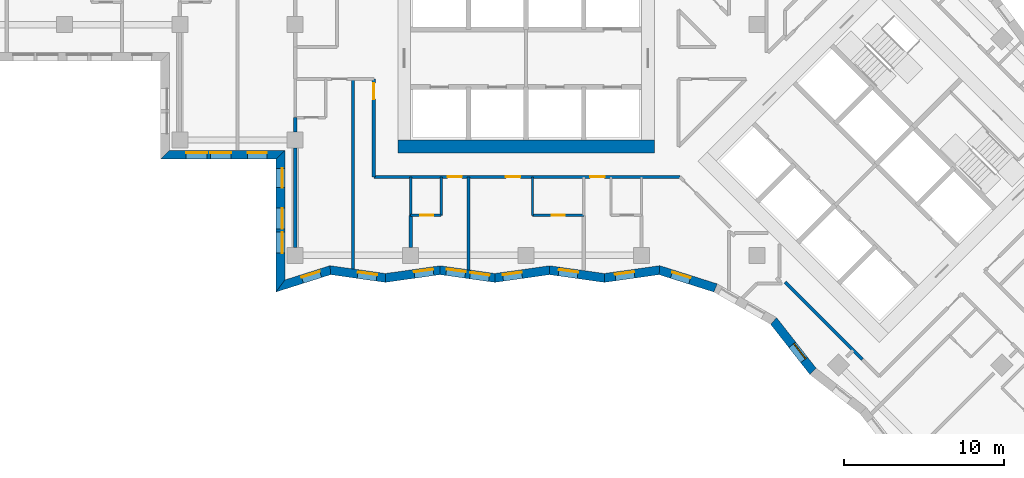
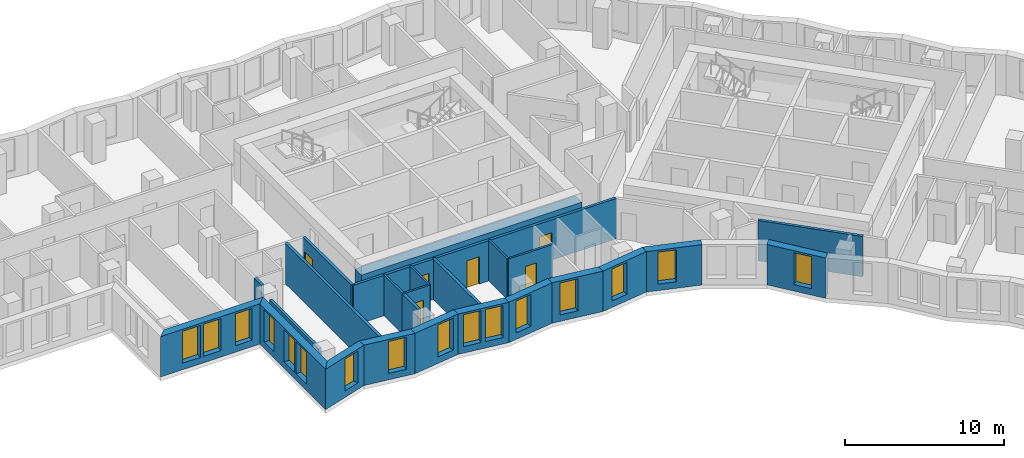
# One storey, part 2 of 13: 25 walls, 16 windows, 6 doors, 22 openings.
"""IFC4 building model written with IfcOpenShell, lengths in metres."""

from ifc_helpers import new_model, si_unit, direction, frame, frame_2d, origin, place, context, subcontext, project, spatial, polyline, rectangle, outline, extrude, material, layer, layer_set, type_object, element, fill, save


model = new_model("IFC4")

# Units and contexts
model_context = context("Model", 3, precision=1e-05, world=origin(), true_north=direction((0.0, 1.0)))
body_context = subcontext(model_context, "Body", "Model", "MODEL_VIEW")
ifc_project = project(units=[si_unit("LENGTHUNIT", "METRE"), si_unit("AREAUNIT", "SQUARE_METRE"), si_unit("VOLUMEUNIT", "CUBIC_METRE"), si_unit("PLANEANGLEUNIT", "RADIAN"), si_unit("MASSUNIT", "GRAM", prefix="KILO")], contexts=[model_context])

# Site, building, storey
site_placement = place(None, origin())
site = spatial("IfcSite", under=ifc_project, at=site_placement, CompositionType="ELEMENT")
building_placement = place(site_placement, origin())
building = spatial("IfcBuilding", under=site, at=building_placement, Name="Windrow Commons", CompositionType="ELEMENT")
storey_placement = place(building_placement, frame((0.0, 0.0, 101.6)))
storey = spatial("IfcBuildingStorey", under=building, at=storey_placement, Name="L27", CompositionType="ELEMENT", Elevation=101.6)

# Wall, openings, windows
ifc_material_1 = material(Name="Brick masonry, red clay brick", Category="masonry")
ifc_layer_1 = layer(ifc_material_1, 0.55)
ifc_layer_set_1 = layer_set([ifc_layer_1], Name="Brick facade wall 550")
wall_type_1 = type_object("IfcWallType", Name="Brick facade wall 550", PredefinedType="SOLIDWALL", material=ifc_layer_set_1)
wall_1_placement = place(storey_placement, frame((42.275, 49.475, 0.0), z_axis=(0.0, 0.0, 1.0), x_axis=(1.0, 0.0, 0.0)))
wall_1 = element("IfcWall", 1, at=wall_1_placement, inside=storey, type_object=wall_type_1, Name="Brick facade wall L27 42", PredefinedType="SOLIDWALL", context=body_context, shape_type="SweptSolid", body=[
    extrude(outline(polyline([(-0.275, -0.275), (6.925, -0.275), (7.475, 0.275), (0.275, 0.275), (-0.275, -0.275)])), origin(), (0.0, 0.0, 1.0), 3.1),
])
opening_1_placement = place(wall_1_placement, frame((1.325, 0.0, 0.5)))
opening_1 = element("IfcOpeningElement", 2, at=opening_1_placement, cuts=wall_1, Name="Opening W1P", PredefinedType="OPENING", context=body_context, shape_type="SweptSolid", body=[
    extrude(rectangle(XDim=1.3, YDim=2.45, at=frame_2d((0.65, 1.225))), frame((0.0, 0.285, 0.0), z_axis=(0.0, -1.0, 0.0), x_axis=(1.0, 0.0, 0.0)), (0.0, 0.0, 1.0), 0.57),
])
opening_2_placement = place(wall_1_placement, frame((2.825, 0.0, 0.5)))
opening_2 = element("IfcOpeningElement", 3, at=opening_2_placement, cuts=wall_1, Name="Opening W1P", PredefinedType="OPENING", context=body_context, shape_type="SweptSolid", body=[
    extrude(rectangle(XDim=1.3, YDim=2.45, at=frame_2d((0.65, 1.225))), frame((0.0, 0.285, 0.0), z_axis=(0.0, -1.0, 0.0), x_axis=(1.0, 0.0, 0.0)), (0.0, 0.0, 1.0), 0.57),
])
opening_3_placement = place(wall_1_placement, frame((5.1625, 0.0, 0.5)))
opening_3 = element("IfcOpeningElement", 4, at=opening_3_placement, cuts=wall_1, Name="Opening W7D", PredefinedType="OPENING", context=body_context, shape_type="SweptSolid", body=[
    extrude(rectangle(XDim=1.2, YDim=2.45, at=frame_2d((0.6, 1.225))), frame((0.0, 0.285, 0.0), z_axis=(0.0, -1.0, 0.0), x_axis=(1.0, 0.0, 0.0)), (0.0, 0.0, 1.0), 0.57),
])
ifc_material_2 = material(Name="Clear float glass in anodised aluminium frame", Category="aluminium")
window_type_1 = type_object("IfcWindowType", Name="Window W1P pair 1300x2450", PartitioningType="SINGLE_PANEL", PredefinedType="WINDOW", material=ifc_material_2)
window_1_placement = place(opening_1_placement, origin())
window_1 = element("IfcWindow", 5, at=window_1_placement, inside=storey, type_object=window_type_1, Name="Window L27 42.1A", OverallHeight=2.45, OverallWidth=1.3, PartitioningType="SINGLE_PANEL", PredefinedType="WINDOW", context=body_context, shape_type="SweptSolid", body=[
    extrude(rectangle(XDim=1.3, YDim=2.45, at=frame_2d((0.65, 1.225))), frame((0.0, 0.155, 0.0), z_axis=(0.0, -1.0, 0.0), x_axis=(1.0, 0.0, 0.0)), (0.0, 0.0, 1.0), 0.06),
])
fill(opening_1, window_1)
window_2_placement = place(opening_2_placement, origin())
window_2 = element("IfcWindow", 6, at=window_2_placement, inside=storey, type_object=window_type_1, Name="Window L27 42.1B", OverallHeight=2.45, OverallWidth=1.3, PartitioningType="SINGLE_PANEL", PredefinedType="WINDOW", context=body_context, shape_type="SweptSolid", body=[
    extrude(rectangle(XDim=1.3, YDim=2.45, at=frame_2d((0.65, 1.225))), frame((0.0, 0.155, 0.0), z_axis=(0.0, -1.0, 0.0), x_axis=(1.0, 0.0, 0.0)), (0.0, 0.0, 1.0), 0.06),
])
fill(opening_2, window_2)
ifc_material_3 = material(Name="Clear float glass in anodised aluminium frame", Category="aluminium")
window_type_2 = type_object("IfcWindowType", Name="Window W7 notch 1200x2450", PartitioningType="SINGLE_PANEL", PredefinedType="WINDOW", material=ifc_material_3)
window_3_placement = place(opening_3_placement, origin())
window_3 = element("IfcWindow", 7, at=window_3_placement, inside=storey, type_object=window_type_2, Name="Window L27 42.2", OverallHeight=2.45, OverallWidth=1.2, PartitioningType="SINGLE_PANEL", PredefinedType="WINDOW", context=body_context, shape_type="SweptSolid", body=[
    extrude(rectangle(XDim=1.2, YDim=2.45, at=frame_2d((0.6, 1.225))), frame((0.0, 0.155, 0.0), z_axis=(0.0, -1.0, 0.0), x_axis=(1.0, 0.0, 0.0)), (0.0, 0.0, 1.0), 0.06),
])
fill(opening_3, window_3)

wall_2_placement = place(storey_placement, frame((49.475, 49.475, 0.0), z_axis=(0.0, 0.0, 1.0), x_axis=(0.0, -1.0, 0.0)))
wall_2 = element("IfcWall", 8, at=wall_2_placement, inside=storey, type_object=wall_type_1, Name="Brick facade wall L27 43", PredefinedType="SOLIDWALL", context=body_context, shape_type="SweptSolid", body=[
    extrude(outline(polyline([(0.275, -0.275), (8.557, -0.275), (7.8057, 0.275), (-0.275, 0.275), (0.275, -0.275)])), origin(), (0.0, 0.0, 1.0), 3.1),
])
opening_4_placement = place(wall_2_placement, frame((3.325, 0.0, 0.5)))
opening_4 = element("IfcOpeningElement", 9, at=opening_4_placement, cuts=wall_2, Name="Opening W1P", PredefinedType="OPENING", context=body_context, shape_type="SweptSolid", body=[
    extrude(rectangle(XDim=1.3, YDim=2.45, at=frame_2d((0.65, 1.225))), frame((0.0, 0.285, 0.0), z_axis=(0.0, -1.0, 0.0), x_axis=(1.0, 0.0, 0.0)), (0.0, 0.0, 1.0), 0.57),
])
opening_5_placement = place(wall_2_placement, frame((4.825, 0.0, 0.5)))
opening_5 = element("IfcOpeningElement", 10, at=opening_5_placement, cuts=wall_2, Name="Opening W1P", PredefinedType="OPENING", context=body_context, shape_type="SweptSolid", body=[
    extrude(rectangle(XDim=1.3, YDim=2.45, at=frame_2d((0.65, 1.225))), frame((0.0, 0.285, 0.0), z_axis=(0.0, -1.0, 0.0), x_axis=(1.0, 0.0, 0.0)), (0.0, 0.0, 1.0), 0.57),
])
opening_6_placement = place(wall_2_placement, frame((0.8375, 0.0, 0.5)))
opening_6 = element("IfcOpeningElement", 11, at=opening_6_placement, cuts=wall_2, Name="Opening W7D", PredefinedType="OPENING", context=body_context, shape_type="SweptSolid", body=[
    extrude(rectangle(XDim=1.2, YDim=2.45, at=frame_2d((0.6, 1.225))), frame((0.0, 0.285, 0.0), z_axis=(0.0, -1.0, 0.0), x_axis=(1.0, 0.0, 0.0)), (0.0, 0.0, 1.0), 0.57),
])
window_4_placement = place(opening_4_placement, origin())
window_4 = element("IfcWindow", 12, at=window_4_placement, inside=storey, type_object=window_type_1, Name="Window L27 43.1A", OverallHeight=2.45, OverallWidth=1.3, PartitioningType="SINGLE_PANEL", PredefinedType="WINDOW", context=body_context, shape_type="SweptSolid", body=[
    extrude(rectangle(XDim=1.3, YDim=2.45, at=frame_2d((0.65, 1.225))), frame((0.0, 0.155, 0.0), z_axis=(0.0, -1.0, 0.0), x_axis=(1.0, 0.0, 0.0)), (0.0, 0.0, 1.0), 0.06),
])
fill(opening_4, window_4)
window_5_placement = place(opening_5_placement, origin())
window_5 = element("IfcWindow", 13, at=window_5_placement, inside=storey, type_object=window_type_1, Name="Window L27 43.1B", OverallHeight=2.45, OverallWidth=1.3, PartitioningType="SINGLE_PANEL", PredefinedType="WINDOW", context=body_context, shape_type="SweptSolid", body=[
    extrude(rectangle(XDim=1.3, YDim=2.45, at=frame_2d((0.65, 1.225))), frame((0.0, 0.155, 0.0), z_axis=(0.0, -1.0, 0.0), x_axis=(1.0, 0.0, 0.0)), (0.0, 0.0, 1.0), 0.06),
])
fill(opening_5, window_5)
window_6_placement = place(opening_6_placement, origin())
window_6 = element("IfcWindow", 14, at=window_6_placement, inside=storey, type_object=window_type_2, Name="Window L27 43.2", OverallHeight=2.45, OverallWidth=1.2, PartitioningType="SINGLE_PANEL", PredefinedType="WINDOW", context=body_context, shape_type="SweptSolid", body=[
    extrude(rectangle(XDim=1.2, YDim=2.45, at=frame_2d((0.6, 1.225))), frame((0.0, 0.155, 0.0), z_axis=(0.0, -1.0, 0.0), x_axis=(1.0, 0.0, 0.0)), (0.0, 0.0, 1.0), 0.06),
])
fill(opening_6, window_6)

# Wall, opening, window
wall_3_placement = place(storey_placement, frame((49.475, 41.2937, 0.0), z_axis=(0.0, 0.0, 1.0), x_axis=(0.9532643936, 0.3021373791, 0.0)))
wall_3 = element("IfcWall", 15, at=wall_3_placement, inside=storey, type_object=wall_type_1, Name="Brick facade wall L27 44", PredefinedType="SOLIDWALL", context=body_context, shape_type="SweptSolid", body=[
    extrude(outline(polyline([(-0.3757, -0.275), (3.2052, -0.275), (3.3303, 0.275), (0.3757, 0.275), (-0.3757, -0.275)])), origin(), (0.0, 0.0, 1.0), 3.1),
])
opening_7_placement = place(wall_3_placement, frame((1.419, 0.0, 0.5)))
opening_7 = element("IfcOpeningElement", 16, at=opening_7_placement, cuts=wall_3, Name="Opening W7D", PredefinedType="OPENING", context=body_context, shape_type="SweptSolid", body=[
    extrude(rectangle(XDim=1.2, YDim=2.45, at=frame_2d((0.6, 1.225))), frame((0.0, 0.285, 0.0), z_axis=(0.0, -1.0, 0.0), x_axis=(1.0, 0.0, 0.0)), (0.0, 0.0, 1.0), 0.57),
])
window_7_placement = place(opening_7_placement, origin())
window_7 = element("IfcWindow", 17, at=window_7_placement, inside=storey, type_object=window_type_2, Name="Window L27 44.1", OverallHeight=2.45, OverallWidth=1.2, PartitioningType="SINGLE_PANEL", PredefinedType="WINDOW", context=body_context, shape_type="SweptSolid", body=[
    extrude(rectangle(XDim=1.2, YDim=2.45, at=frame_2d((0.6, 1.225))), frame((0.0, 0.155, 0.0), z_axis=(0.0, -1.0, 0.0), x_axis=(1.0, 0.0, 0.0)), (0.0, 0.0, 1.0), 0.06),
])
fill(opening_7, window_7)

wall_4_placement = place(storey_placement, frame((52.59, 42.281, 0.0), z_axis=(0.0, 0.0, 1.0), x_axis=(0.9901775212, -0.1398158663, 0.0)))
wall_4 = element("IfcWall", 18, at=wall_4_placement, inside=storey, type_object=wall_type_1, Name="Brick facade wall L27 45", PredefinedType="SOLIDWALL", context=body_context, shape_type="SweptSolid", body=[
    extrude(outline(polyline([(0.0625, -0.275), (3.5099, -0.275), (3.4322, 0.275), (-0.0625, 0.275), (0.0625, -0.275)])), origin(), (0.0, 0.0, 1.0), 3.1),
])
opening_8_placement = place(wall_4_placement, frame((1.7281, 0.0, 0.5)))
opening_8 = element("IfcOpeningElement", 19, at=opening_8_placement, cuts=wall_4, Name="Opening W7D", PredefinedType="OPENING", context=body_context, shape_type="SweptSolid", body=[
    extrude(rectangle(XDim=1.2, YDim=2.45, at=frame_2d((0.6, 1.225))), frame((0.0, 0.285, 0.0), z_axis=(0.0, -1.0, 0.0), x_axis=(1.0, 0.0, 0.0)), (0.0, 0.0, 1.0), 0.57),
])
window_8_placement = place(opening_8_placement, origin())
window_8 = element("IfcWindow", 20, at=window_8_placement, inside=storey, type_object=window_type_2, Name="Window L27 45.1", OverallHeight=2.45, OverallWidth=1.2, PartitioningType="SINGLE_PANEL", PredefinedType="WINDOW", context=body_context, shape_type="SweptSolid", body=[
    extrude(rectangle(XDim=1.2, YDim=2.45, at=frame_2d((0.6, 1.225))), frame((0.0, 0.155, 0.0), z_axis=(0.0, -1.0, 0.0), x_axis=(1.0, 0.0, 0.0)), (0.0, 0.0, 1.0), 0.06),
])
fill(opening_8, window_8)

wall_5_placement = place(storey_placement, frame((56.0269, 41.7957, 0.0), z_axis=(0.0, 0.0, 1.0), x_axis=(0.9901773547, 0.1398170455, 0.0)))
wall_5 = element("IfcWall", 21, at=wall_5_placement, inside=storey, type_object=wall_type_1, Name="Brick facade wall L27 46", PredefinedType="SOLIDWALL", context=body_context, shape_type="SweptSolid", body=[
    extrude(outline(polyline([(-0.0388, -0.275), (3.4085, -0.275), (3.4862, 0.275), (0.0388, 0.275), (-0.0388, -0.275)])), origin(), (0.0, 0.0, 1.0), 3.1),
])
opening_9_placement = place(wall_5_placement, frame((1.818, 0.0, 0.5)))
opening_9 = element("IfcOpeningElement", 22, at=opening_9_placement, cuts=wall_5, Name="Opening W7D", PredefinedType="OPENING", context=body_context, shape_type="SweptSolid", body=[
    extrude(rectangle(XDim=1.2, YDim=2.45, at=frame_2d((0.6, 1.225))), frame((0.0, 0.285, 0.0), z_axis=(0.0, -1.0, 0.0), x_axis=(1.0, 0.0, 0.0)), (0.0, 0.0, 1.0), 0.57),
])
window_9_placement = place(opening_9_placement, origin())
window_9 = element("IfcWindow", 23, at=window_9_placement, inside=storey, type_object=window_type_2, Name="Window L27 46.1", OverallHeight=2.45, OverallWidth=1.2, PartitioningType="SINGLE_PANEL", PredefinedType="WINDOW", context=body_context, shape_type="SweptSolid", body=[
    extrude(rectangle(XDim=1.2, YDim=2.45, at=frame_2d((0.6, 1.225))), frame((0.0, 0.155, 0.0), z_axis=(0.0, -1.0, 0.0), x_axis=(1.0, 0.0, 0.0)), (0.0, 0.0, 1.0), 0.06),
])
fill(opening_9, window_9)

# Wall, openings, windows
wall_6_placement = place(storey_placement, frame((59.4404, 42.2777, 0.0), z_axis=(0.0, 0.0, 1.0), x_axis=(0.9901773547, -0.1398170455, 0.0)))
wall_6 = element("IfcWall", 24, at=wall_6_placement, inside=storey, type_object=wall_type_1, Name="Brick facade wall L27 47", PredefinedType="SOLIDWALL", context=body_context, shape_type="SweptSolid", body=[
    extrude(outline(polyline([(0.0388, -0.275), (3.4862, -0.275), (3.4085, 0.275), (-0.0388, 0.275), (0.0388, -0.275)])), origin(), (0.0, 0.0, 1.0), 3.1),
])
opening_10_placement = place(wall_6_placement, frame((0.3885, 0.0, 0.5)))
opening_10 = element("IfcOpeningElement", 25, at=opening_10_placement, cuts=wall_6, Name="Opening W7D", PredefinedType="OPENING", context=body_context, shape_type="SweptSolid", body=[
    extrude(rectangle(XDim=1.2, YDim=2.45, at=frame_2d((0.6, 1.225))), frame((0.0, 0.285, 0.0), z_axis=(0.0, -1.0, 0.0), x_axis=(1.0, 0.0, 0.0)), (0.0, 0.0, 1.0), 0.57),
])
opening_11_placement = place(wall_6_placement, frame((1.8928, 0.0, 0.5)))
opening_11 = element("IfcOpeningElement", 26, at=opening_11_placement, cuts=wall_6, Name="Opening W7D", PredefinedType="OPENING", context=body_context, shape_type="SweptSolid", body=[
    extrude(rectangle(XDim=1.2, YDim=2.45, at=frame_2d((0.6, 1.225))), frame((0.0, 0.285, 0.0), z_axis=(0.0, -1.0, 0.0), x_axis=(1.0, 0.0, 0.0)), (0.0, 0.0, 1.0), 0.57),
])
window_10_placement = place(opening_10_placement, origin())
window_10 = element("IfcWindow", 27, at=window_10_placement, inside=storey, type_object=window_type_2, Name="Window L27 47.1", OverallHeight=2.45, OverallWidth=1.2, PartitioningType="SINGLE_PANEL", PredefinedType="WINDOW", context=body_context, shape_type="SweptSolid", body=[
    extrude(rectangle(XDim=1.2, YDim=2.45, at=frame_2d((0.6, 1.225))), frame((0.0, 0.155, 0.0), z_axis=(0.0, -1.0, 0.0), x_axis=(1.0, 0.0, 0.0)), (0.0, 0.0, 1.0), 0.06),
])
fill(opening_10, window_10)
window_11_placement = place(opening_11_placement, origin())
window_11 = element("IfcWindow", 28, at=window_11_placement, inside=storey, type_object=window_type_2, Name="Window L27 47.2", OverallHeight=2.45, OverallWidth=1.2, PartitioningType="SINGLE_PANEL", PredefinedType="WINDOW", context=body_context, shape_type="SweptSolid", body=[
    extrude(rectangle(XDim=1.2, YDim=2.45, at=frame_2d((0.6, 1.225))), frame((0.0, 0.155, 0.0), z_axis=(0.0, -1.0, 0.0), x_axis=(1.0, 0.0, 0.0)), (0.0, 0.0, 1.0), 0.06),
])
fill(opening_11, window_11)

# Wall, opening, window
wall_7_placement = place(storey_placement, frame((62.8539, 41.7957, 0.0), z_axis=(0.0, 0.0, 1.0), x_axis=(0.9901767876, 0.1398210616, 0.0)))
wall_7 = element("IfcWall", 29, at=wall_7_placement, inside=storey, type_object=wall_type_1, Name="Brick facade wall L27 48", PredefinedType="SOLIDWALL", context=body_context, shape_type="SweptSolid", body=[
    extrude(outline(polyline([(-0.0388, -0.275), (3.4085, -0.275), (3.4862, 0.275), (0.0388, 0.275), (-0.0388, -0.275)])), origin(), (0.0, 0.0, 1.0), 3.1),
])
opening_12_placement = place(wall_7_placement, frame((0.5021, 0.0, 0.5)))
opening_12 = element("IfcOpeningElement", 30, at=opening_12_placement, cuts=wall_7, Name="Opening W7D", PredefinedType="OPENING", context=body_context, shape_type="SweptSolid", body=[
    extrude(rectangle(XDim=1.2, YDim=2.45, at=frame_2d((0.6, 1.225))), frame((0.0, 0.285, 0.0), z_axis=(0.0, -1.0, 0.0), x_axis=(1.0, 0.0, 0.0)), (0.0, 0.0, 1.0), 0.57),
])
window_12_placement = place(opening_12_placement, origin())
window_12 = element("IfcWindow", 31, at=window_12_placement, inside=storey, type_object=window_type_2, Name="Window L27 48.1", OverallHeight=2.45, OverallWidth=1.2, PartitioningType="SINGLE_PANEL", PredefinedType="WINDOW", context=body_context, shape_type="SweptSolid", body=[
    extrude(rectangle(XDim=1.2, YDim=2.45, at=frame_2d((0.6, 1.225))), frame((0.0, 0.155, 0.0), z_axis=(0.0, -1.0, 0.0), x_axis=(1.0, 0.0, 0.0)), (0.0, 0.0, 1.0), 0.06),
])
fill(opening_12, window_12)

wall_8_placement = place(storey_placement, frame((66.2673, 42.2777, 0.0), z_axis=(0.0, 0.0, 1.0), x_axis=(0.9901773547, -0.1398170455, 0.0)))
wall_8 = element("IfcWall", 32, at=wall_8_placement, inside=storey, type_object=wall_type_1, Name="Brick facade wall L27 49", PredefinedType="SOLIDWALL", context=body_context, shape_type="SweptSolid", body=[
    extrude(outline(polyline([(0.0388, -0.275), (3.4862, -0.275), (3.4085, 0.275), (-0.0388, 0.275), (0.0388, -0.275)])), origin(), (0.0, 0.0, 1.0), 3.1),
])
opening_13_placement = place(wall_8_placement, frame((0.5769, 0.0, 0.5)))
opening_13 = element("IfcOpeningElement", 33, at=opening_13_placement, cuts=wall_8, Name="Opening W7D", PredefinedType="OPENING", context=body_context, shape_type="SweptSolid", body=[
    extrude(rectangle(XDim=1.2, YDim=2.45, at=frame_2d((0.6, 1.225))), frame((0.0, 0.285, 0.0), z_axis=(0.0, -1.0, 0.0), x_axis=(1.0, 0.0, 0.0)), (0.0, 0.0, 1.0), 0.57),
])
window_13_placement = place(opening_13_placement, origin())
window_13 = element("IfcWindow", 34, at=window_13_placement, inside=storey, type_object=window_type_2, Name="Window L27 49.1", OverallHeight=2.45, OverallWidth=1.2, PartitioningType="SINGLE_PANEL", PredefinedType="WINDOW", context=body_context, shape_type="SweptSolid", body=[
    extrude(rectangle(XDim=1.2, YDim=2.45, at=frame_2d((0.6, 1.225))), frame((0.0, 0.155, 0.0), z_axis=(0.0, -1.0, 0.0), x_axis=(1.0, 0.0, 0.0)), (0.0, 0.0, 1.0), 0.06),
])
fill(opening_13, window_13)

wall_9_placement = place(storey_placement, frame((69.6808, 41.7957, 0.0), z_axis=(0.0, 0.0, 1.0), x_axis=(0.9901775212, 0.1398158663, 0.0)))
wall_9 = element("IfcWall", 35, at=wall_9_placement, inside=storey, type_object=wall_type_1, Name="Brick facade wall L27 50", PredefinedType="SOLIDWALL", context=body_context, shape_type="SweptSolid", body=[
    extrude(outline(polyline([(-0.0388, -0.275), (3.4085, -0.275), (3.5336, 0.275), (0.0388, 0.275), (-0.0388, -0.275)])), origin(), (0.0, 0.0, 1.0), 3.1),
])
opening_14_placement = place(wall_9_placement, frame((0.6905, 0.0, 0.5)))
opening_14 = element("IfcOpeningElement", 36, at=opening_14_placement, cuts=wall_9, Name="Opening W7D", PredefinedType="OPENING", context=body_context, shape_type="SweptSolid", body=[
    extrude(rectangle(XDim=1.2, YDim=2.45, at=frame_2d((0.6, 1.225))), frame((0.0, 0.285, 0.0), z_axis=(0.0, -1.0, 0.0), x_axis=(1.0, 0.0, 0.0)), (0.0, 0.0, 1.0), 0.57),
])
window_14_placement = place(opening_14_placement, origin())
window_14 = element("IfcWindow", 37, at=window_14_placement, inside=storey, type_object=window_type_2, Name="Window L27 50.1", OverallHeight=2.45, OverallWidth=1.2, PartitioningType="SINGLE_PANEL", PredefinedType="WINDOW", context=body_context, shape_type="SweptSolid", body=[
    extrude(rectangle(XDim=1.2, YDim=2.45, at=frame_2d((0.6, 1.225))), frame((0.0, 0.155, 0.0), z_axis=(0.0, -1.0, 0.0), x_axis=(1.0, 0.0, 0.0)), (0.0, 0.0, 1.0), 0.06),
])
fill(opening_14, window_14)

wall_10_placement = place(storey_placement, frame((73.1177, 42.281, 0.0), z_axis=(0.0, 0.0, 1.0), x_axis=(0.9532627783, -0.3021424756, 0.0)))
wall_10 = element("IfcWall", 38, at=wall_10_placement, inside=storey, type_object=wall_type_1, Name="Brick facade wall L27 51", PredefinedType="SOLIDWALL", context=body_context, shape_type="SweptSolid", body=[
    extrude(outline(polyline([(0.0625, -0.275), (3.6434, -0.275), (3.7015, 0.275), (-0.0625, 0.275), (0.0625, -0.275)])), origin(), (0.0, 0.0, 1.0), 3.1),
])
opening_15_placement = place(wall_10_placement, frame((0.802, 0.0, 0.5)))
opening_15 = element("IfcOpeningElement", 39, at=opening_15_placement, cuts=wall_10, Name="Opening W7D", PredefinedType="OPENING", context=body_context, shape_type="SweptSolid", body=[
    extrude(rectangle(XDim=1.2, YDim=2.45, at=frame_2d((0.6, 1.225))), frame((0.0, 0.285, 0.0), z_axis=(0.0, -1.0, 0.0), x_axis=(1.0, 0.0, 0.0)), (0.0, 0.0, 1.0), 0.57),
])
window_15_placement = place(opening_15_placement, origin())
window_15 = element("IfcWindow", 40, at=window_15_placement, inside=storey, type_object=window_type_2, Name="Window L27 51.1", OverallHeight=2.45, OverallWidth=1.2, PartitioningType="SINGLE_PANEL", PredefinedType="WINDOW", context=body_context, shape_type="SweptSolid", body=[
    extrude(rectangle(XDim=1.2, YDim=2.45, at=frame_2d((0.6, 1.225))), frame((0.0, 0.155, 0.0), z_axis=(0.0, -1.0, 0.0), x_axis=(1.0, 0.0, 0.0)), (0.0, 0.0, 1.0), 0.06),
])
fill(opening_15, window_15)

wall_11_placement = place(storey_placement, frame((80.2425, 39.1088, 0.0), z_axis=(0.0, 0.0, 1.0), x_axis=(0.6160271492, -0.7877249212, 0.0)))
wall_11 = element("IfcWall", 41, at=wall_11_placement, inside=storey, type_object=wall_type_1, Name="Brick facade wall L27 53", PredefinedType="SOLIDWALL", context=body_context, shape_type="SweptSolid", body=[
    extrude(outline(polyline([(0.0543, -0.275), (4.0243, -0.275), (3.957, 0.275), (-0.0543, 0.275), (0.0543, -0.275)])), origin(), (0.0, 0.0, 1.0), 3.1),
])
opening_16_placement = place(wall_11_placement, frame((1.8856, 0.0, 0.5)))
opening_16 = element("IfcOpeningElement", 42, at=opening_16_placement, cuts=wall_11, Name="Opening W7D", PredefinedType="OPENING", context=body_context, shape_type="SweptSolid", body=[
    extrude(rectangle(XDim=1.2, YDim=2.45, at=frame_2d((0.6, 1.225))), frame((0.0, 0.285, 0.0), z_axis=(0.0, -1.0, 0.0), x_axis=(1.0, 0.0, 0.0)), (0.0, 0.0, 1.0), 0.57),
])
window_16_placement = place(opening_16_placement, origin())
window_16 = element("IfcWindow", 43, at=window_16_placement, inside=storey, type_object=window_type_2, Name="Window L27 53.1", OverallHeight=2.45, OverallWidth=1.2, PartitioningType="SINGLE_PANEL", PredefinedType="WINDOW", context=body_context, shape_type="SweptSolid", body=[
    extrude(rectangle(XDim=1.2, YDim=2.45, at=frame_2d((0.6, 1.225))), frame((0.0, 0.155, 0.0), z_axis=(0.0, -1.0, 0.0), x_axis=(1.0, 0.0, 0.0)), (0.0, 0.0, 1.0), 0.06),
])
fill(opening_16, window_16)

# Wall, openings, doors
ifc_material_4 = material(Name="Blockwork partition", Category="masonry")
ifc_layer_2 = layer(ifc_material_4, 0.2)
ifc_layer_set_2 = layer_set([ifc_layer_2], Name="IW-CORRIDOR-200")
wall_type_2 = type_object("IfcWallType", Name="IW-CORRIDOR-200", PredefinedType="PARTITIONING", material=ifc_layer_set_2)
wall_12_placement = place(storey_placement, frame((55.3, 48.1, 0.0), z_axis=(0.0, 0.0, 1.0), x_axis=(1.0, 0.0, 0.0)))
wall_12 = element("IfcWall", 44, at=wall_12_placement, inside=storey, type_object=wall_type_2, Name="W-L27-W003", PredefinedType="PARTITIONING", context=body_context, shape_type="SweptSolid", body=[
    extrude(rectangle(XDim=19.092, YDim=0.2, at=frame_2d((9.546, 0.0))), origin(), (0.0, 0.0, 1.0), 3.1),
])
opening_17_placement = place(wall_12_placement, frame((4.6, 0.0, 0.0)))
opening_17 = element("IfcOpeningElement", 45, at=opening_17_placement, cuts=wall_12, Name="Opening D109S", PredefinedType="OPENING", context=body_context, shape_type="SweptSolid", body=[
    extrude(rectangle(XDim=0.9, YDim=2.1, at=frame_2d((0.45, 1.05))), frame((0.0, 0.11, 0.0), z_axis=(0.0, -1.0, 0.0), x_axis=(1.0, 0.0, 0.0)), (0.0, 0.0, 1.0), 0.22),
])
opening_18_placement = place(wall_12_placement, frame((8.2393, 0.0, 0.0)))
opening_18 = element("IfcOpeningElement", 46, at=opening_18_placement, cuts=wall_12, Name="Opening D109F", PredefinedType="OPENING", context=body_context, shape_type="SweptSolid", body=[
    extrude(rectangle(XDim=0.9, YDim=2.1, at=frame_2d((0.45, 1.05))), frame((0.0, 0.11, 0.0), z_axis=(0.0, -1.0, 0.0), x_axis=(1.0, 0.0, 0.0)), (0.0, 0.0, 1.0), 0.22),
])
opening_19_placement = place(wall_12_placement, frame((13.5, 0.0, 0.0)))
opening_19 = element("IfcOpeningElement", 47, at=opening_19_placement, cuts=wall_12, Name="Opening D109S", PredefinedType="OPENING", context=body_context, shape_type="SweptSolid", body=[
    extrude(rectangle(XDim=0.9, YDim=2.1, at=frame_2d((0.45, 1.05))), frame((0.0, 0.11, 0.0), z_axis=(0.0, -1.0, 0.0), x_axis=(1.0, 0.0, 0.0)), (0.0, 0.0, 1.0), 0.22),
])
ifc_material_5 = material(Name="Timber door leaf", Category="wood")
door_type_1 = type_object("IfcDoorType", Name="DT-BEDROOM-900", OperationType="SINGLE_SWING_LEFT", PredefinedType="DOOR", material=ifc_material_5)
door_1_placement = place(opening_17_placement, origin())
door_1 = element("IfcDoor", 48, at=door_1_placement, inside=storey, type_object=door_type_1, Name="D-L27-D028", OperationType="SINGLE_SWING_LEFT", OverallHeight=2.1, OverallWidth=0.9, PredefinedType="DOOR", context=body_context, shape_type="SweptSolid", body=[
    extrude(rectangle(XDim=0.9, YDim=2.1, at=frame_2d((0.45, 1.05))), frame((0.0, 0.025, 0.0), z_axis=(0.0, -1.0, 0.0), x_axis=(1.0, 0.0, 0.0)), (0.0, 0.0, 1.0), 0.05),
])
fill(opening_17, door_1)
door_2_placement = place(opening_18_placement, origin())
door_2 = element("IfcDoor", 49, at=door_2_placement, inside=storey, type_object=door_type_1, Name="D-L27-D030", OperationType="SINGLE_SWING_RIGHT", OverallHeight=2.1, OverallWidth=0.9, PredefinedType="DOOR", context=body_context, shape_type="SweptSolid", body=[
    extrude(rectangle(XDim=0.9, YDim=2.1, at=frame_2d((0.45, 1.05))), frame((0.0, 0.025, 0.0), z_axis=(0.0, -1.0, 0.0), x_axis=(1.0, 0.0, 0.0)), (0.0, 0.0, 1.0), 0.05),
])
fill(opening_18, door_2)
door_3_placement = place(opening_19_placement, origin())
door_3 = element("IfcDoor", 50, at=door_3_placement, inside=storey, type_object=door_type_1, Name="D-L27-D032", OperationType="SINGLE_SWING_RIGHT", OverallHeight=2.1, OverallWidth=0.9, PredefinedType="DOOR", context=body_context, shape_type="SweptSolid", body=[
    extrude(rectangle(XDim=0.9, YDim=2.1, at=frame_2d((0.45, 1.05))), frame((0.0, 0.025, 0.0), z_axis=(0.0, -1.0, 0.0), x_axis=(1.0, 0.0, 0.0)), (0.0, 0.0, 1.0), 0.05),
])
fill(opening_19, door_3)

# Wall
wall_13_placement = place(storey_placement, frame((80.9485, 41.5365, 0.0), z_axis=(0.0, 0.0, 1.0), x_axis=(0.7071067812, -0.7071067812, 0.0)))
element("IfcWall", 51, at=wall_13_placement, inside=storey, type_object=wall_type_2, Name="W-L27-W023", PredefinedType="PARTITIONING", context=body_context, shape_type="SweptSolid", body=[
    extrude(rectangle(XDim=6.8222, YDim=0.2, at=frame_2d((3.4111, 0.0))), origin(), (0.0, 0.0, 1.0), 3.1),
])

# Wall, opening, door
wall_14_placement = place(storey_placement, frame((55.3, 48.1, 0.0), z_axis=(0.0, 0.0, 1.0), x_axis=(0.0, 1.0, 0.0)))
wall_14 = element("IfcWall", 52, at=wall_14_placement, inside=storey, type_object=wall_type_2, Name="W-L27-W027", PredefinedType="PARTITIONING", context=body_context, shape_type="SweptSolid", body=[
    extrude(rectangle(XDim=6.1, YDim=0.2, at=frame_2d((3.05, 0.0))), origin(), (0.0, 0.0, 1.0), 3.1),
])
opening_20_placement = place(wall_14_placement, frame((4.8446, 0.0, 0.0)))
opening_20 = element("IfcOpeningElement", 53, at=opening_20_placement, cuts=wall_14, Name="Opening D310F", PredefinedType="OPENING", context=body_context, shape_type="SweptSolid", body=[
    extrude(rectangle(XDim=1.0, YDim=2.1, at=frame_2d((0.5, 1.05))), frame((0.0, 0.11, 0.0), z_axis=(0.0, -1.0, 0.0), x_axis=(1.0, 0.0, 0.0)), (0.0, 0.0, 1.0), 0.22),
])
ifc_material_6 = material(Name="Timber door leaf", Category="wood")
door_type_2 = type_object("IfcDoorType", Name="DT-AMENITY-1000", OperationType="SINGLE_SWING_LEFT", PredefinedType="DOOR", material=ifc_material_6)
door_4_placement = place(opening_20_placement, origin())
door_4 = element("IfcDoor", 54, at=door_4_placement, inside=storey, type_object=door_type_2, Name="D-L27-D023", OperationType="SINGLE_SWING_RIGHT", OverallHeight=2.1, OverallWidth=1.0, PredefinedType="DOOR", context=body_context, shape_type="SweptSolid", body=[
    extrude(rectangle(XDim=1.0, YDim=2.1, at=frame_2d((0.5, 1.05))), frame((0.0, 0.025, 0.0), z_axis=(0.0, -1.0, 0.0), x_axis=(1.0, 0.0, 0.0)), (0.0, 0.0, 1.0), 0.05),
])
fill(opening_20, door_4)

ifc_material_7 = material(Name="Blockwork partition", Category="masonry")
ifc_layer_3 = layer(ifc_material_7, 0.15)
ifc_layer_set_3 = layer_set([ifc_layer_3], Name="IW-ENSUITE-150")
wall_type_3 = type_object("IfcWallType", Name="IW-ENSUITE-150", PredefinedType="PARTITIONING", material=ifc_layer_set_3)
wall_15_placement = place(storey_placement, frame((65.2, 45.7, 0.0), z_axis=(0.0, 0.0, 1.0), x_axis=(1.0, 0.0, 0.0)))
wall_15 = element("IfcWall", 55, at=wall_15_placement, inside=storey, type_object=wall_type_3, Name="W-L27-W058", PredefinedType="PARTITIONING", context=body_context, shape_type="SweptSolid", body=[
    extrude(rectangle(XDim=3.2, YDim=0.15, at=frame_2d((1.6, 0.0))), origin(), (0.0, 0.0, 1.0), 3.1),
])
opening_21_placement = place(wall_15_placement, frame((1.2042, 0.0, 0.0)))
opening_21 = element("IfcOpeningElement", 56, at=opening_21_placement, cuts=wall_15, Name="Opening D208N", PredefinedType="OPENING", context=body_context, shape_type="SweptSolid", body=[
    extrude(rectangle(XDim=0.8, YDim=2.1, at=frame_2d((0.4, 1.05))), frame((0.0, 0.085, 0.0), z_axis=(0.0, -1.0, 0.0), x_axis=(1.0, 0.0, 0.0)), (0.0, 0.0, 1.0), 0.17),
])
ifc_material_8 = material(Name="Timber door leaf", Category="wood")
door_type_3 = type_object("IfcDoorType", Name="DT-ENSUITE-800", OperationType="SINGLE_SWING_LEFT", PredefinedType="DOOR", material=ifc_material_8)
door_5_placement = place(opening_21_placement, origin())
door_5 = element("IfcDoor", 57, at=door_5_placement, inside=storey, type_object=door_type_3, Name="D-L27-D031", OperationType="SINGLE_SWING_RIGHT", OverallHeight=2.1, OverallWidth=0.8, PredefinedType="DOOR", context=body_context, shape_type="SweptSolid", body=[
    extrude(rectangle(XDim=0.8, YDim=2.1, at=frame_2d((0.4, 1.05))), frame((0.0, 0.025, 0.0), z_axis=(0.0, -1.0, 0.0), x_axis=(1.0, 0.0, 0.0)), (0.0, 0.0, 1.0), 0.05),
])
fill(opening_21, door_5)

# Walls
for number, where, z_axis, x_axis, name in (
    (58, (59.5, 45.7, 0.0), (0.0, 0.0, 1.0), (0.0, 1.0, 0.0), "W-L27-W086"),
    (59, (57.6, 45.7, 0.0), (0.0, 0.0, 1.0), (0.0, 1.0, 0.0), "W-L27-W087"),
    (60, (65.2, 45.7, 0.0), (0.0, 0.0, 1.0), (0.0, 1.0, 0.0), "W-L27-W088"),
):
    element("IfcWall", number, at=place(storey_placement, frame(where, z_axis=z_axis, x_axis=x_axis)), inside=storey, type_object=wall_type_3, Name=name, PredefinedType="PARTITIONING", context=body_context, shape_type="SweptSolid", body=[
        extrude(rectangle(XDim=2.4, YDim=0.15, at=frame_2d((1.2, 0.0))), origin(), (0.0, 0.0, 1.0), 3.1),
    ])

# Wall, opening, door
wall_16_placement = place(storey_placement, frame((57.6, 45.7, 0.0), z_axis=(0.0, 0.0, 1.0), x_axis=(1.0, 0.0, 0.0)))
wall_16 = element("IfcWall", 61, at=wall_16_placement, inside=storey, type_object=wall_type_3, Name="W-L27-W126", PredefinedType="PARTITIONING", context=body_context, shape_type="SweptSolid", body=[
    extrude(rectangle(XDim=1.9, YDim=0.15, at=frame_2d((0.95, 0.0))), origin(), (0.0, 0.0, 1.0), 3.1),
])
opening_22_placement = place(wall_16_placement, frame((0.6069, 0.0, 0.0)))
opening_22 = element("IfcOpeningElement", 62, at=opening_22_placement, cuts=wall_16, Name="Opening D208N", PredefinedType="OPENING", context=body_context, shape_type="SweptSolid", body=[
    extrude(rectangle(XDim=0.8, YDim=2.1, at=frame_2d((0.4, 1.05))), frame((0.0, 0.085, 0.0), z_axis=(0.0, -1.0, 0.0), x_axis=(1.0, 0.0, 0.0)), (0.0, 0.0, 1.0), 0.17),
])
door_6_placement = place(opening_22_placement, origin())
door_6 = element("IfcDoor", 63, at=door_6_placement, inside=storey, type_object=door_type_3, Name="D-L27-D029", OperationType="SINGLE_SWING_RIGHT", OverallHeight=2.1, OverallWidth=0.8, PredefinedType="DOOR", context=body_context, shape_type="SweptSolid", body=[
    extrude(rectangle(XDim=0.8, YDim=2.1, at=frame_2d((0.4, 1.05))), frame((0.0, 0.025, 0.0), z_axis=(0.0, -1.0, 0.0), x_axis=(1.0, 0.0, 0.0)), (0.0, 0.0, 1.0), 0.05),
])
fill(opening_22, door_6)

# Walls
ifc_material_9 = material(Name="Blockwork partition", Category="masonry")
ifc_layer_4 = layer(ifc_material_9, 0.2)
ifc_layer_set_4 = layer_set([ifc_layer_4], Name="IW-PARTY-200")
wall_type_4 = type_object("IfcWallType", Name="IW-PARTY-200", PredefinedType="PARTITIONING", material=ifc_layer_set_4)
wall_17_placement = place(storey_placement, frame((54.0, 42.3597, 0.0), z_axis=(0.0, 0.0, 1.0), x_axis=(0.0, 1.0, 0.0)))
element("IfcWall", 64, at=wall_17_placement, inside=storey, type_object=wall_type_4, Name="W-L27-W009", PredefinedType="PARTITIONING", context=body_context, shape_type="SweptSolid", body=[
    extrude(rectangle(XDim=11.8403, YDim=0.2, at=frame_2d((5.9201, 0.0))), origin(), (0.0, 0.0, 1.0), 3.1),
])
wall_18_placement = place(storey_placement, frame((50.4, 43.7, 0.0), z_axis=(0.0, 0.0, 1.0), x_axis=(0.0, 1.0, 0.0)))
element("IfcWall", 65, at=wall_18_placement, inside=storey, type_object=wall_type_4, Name="W-L27-W026", PredefinedType="PARTITIONING", context=body_context, shape_type="SweptSolid", body=[
    extrude(rectangle(XDim=6.2, YDim=0.2, at=frame_2d((3.1, 0.0))), origin(), (0.0, 0.0, 1.0), 2.6),
])
wall_19_placement = place(storey_placement, frame((61.2, 42.307, 0.0), z_axis=(0.0, 0.0, 1.0), x_axis=(0.0, 1.0, 0.0)))
element("IfcWall", 66, at=wall_19_placement, inside=storey, type_object=wall_type_4, Name="W-L27-W033", PredefinedType="PARTITIONING", context=body_context, shape_type="SweptSolid", body=[
    extrude(rectangle(XDim=5.793, YDim=0.2, at=frame_2d((2.8965, 0.0))), origin(), (0.0, 0.0, 1.0), 3.1),
])
wall_20_placement = place(storey_placement, frame((57.6, 43.7, 0.0), z_axis=(0.0, 0.0, 1.0), x_axis=(0.0, 1.0, 0.0)))
element("IfcWall", 67, at=wall_20_placement, inside=storey, type_object=wall_type_4, Name="W-L27-W106", PredefinedType="PARTITIONING", context=body_context, shape_type="SweptSolid", body=[
    extrude(rectangle(XDim=2.0, YDim=0.2, at=frame_2d((1.0, 0.0))), origin(), (0.0, 0.0, 1.0), 3.1),
])
wall_21_placement = place(storey_placement, frame((50.4, 50.9, 0.0), z_axis=(0.0, 0.0, 1.0), x_axis=(0.0, 1.0, 0.0)))
element("IfcWall", 68, at=wall_21_placement, inside=storey, type_object=wall_type_4, Name="W-L27-W141", PredefinedType="PARTITIONING", context=body_context, shape_type="SweptSolid", body=[
    extrude(rectangle(XDim=0.9, YDim=0.2, at=frame_2d((0.45, 0.0))), origin(), (0.0, 0.0, 1.0), 3.1),
])
ifc_material_10 = material(Name="Concrete C50/60", Category="concrete")
ifc_layer_5 = layer(ifc_material_10, 0.8)
ifc_layer_set_5 = layer_set([ifc_layer_5], Name="RC CORE WALL 800 C50/60")
wall_type_5 = type_object("IfcWallType", Name="RC CORE WALL 800 C50/60", PredefinedType="SHEAR", material=ifc_layer_set_5)
wall_22_placement = place(storey_placement, frame((56.8, 50.0, -0.3), z_axis=(0.0, 0.0, 1.0), x_axis=(1.0, 0.0, 0.0)))
element("IfcWall", 69, at=wall_22_placement, inside=storey, type_object=wall_type_5, Name="Core A wall outer-S", PredefinedType="SHEAR", context=body_context, shape_type="SweptSolid", body=[
    extrude(rectangle(XDim=16.0, YDim=0.8, at=frame_2d((8.0, 0.0))), origin(), (0.0, 0.0, 1.0), 2.7),
])

save(model, "model.ifc")
